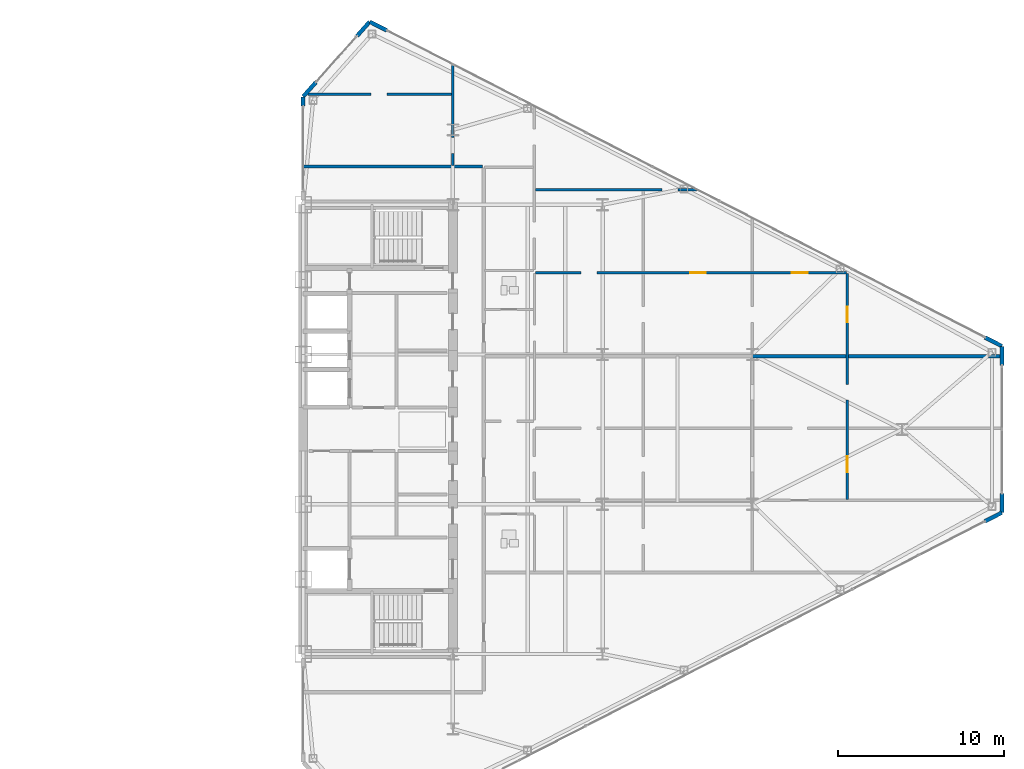
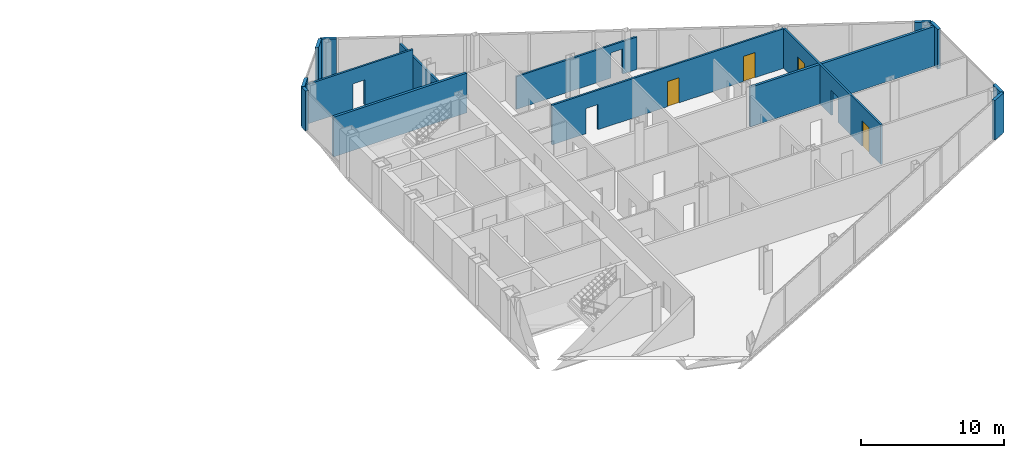
# One storey, part 19 of 22: 15 walls, 4 doors, 9 openings.
"""IFC4 building model written with IfcOpenShell, lengths in metres."""

from ifc_helpers import new_model, si_unit, direction, frame, frame_2d, origin, place, context, subcontext, project, spatial, rectangle, extrude, source, transform, mapped, material, layer, layer_set, type_object, type_shapes, element, fill, save


model = new_model("IFC4")

# Units and contexts
model_context = context("Model", 3, precision=1e-05, world=origin(), true_north=direction((0.0, 1.0)))
body_context = subcontext(model_context, "Body", "Model", "MODEL_VIEW")
ifc_project = project(units=[si_unit("LENGTHUNIT", "METRE"), si_unit("AREAUNIT", "SQUARE_METRE"), si_unit("VOLUMEUNIT", "CUBIC_METRE"), si_unit("PLANEANGLEUNIT", "RADIAN"), si_unit("MASSUNIT", "GRAM", prefix="KILO")], contexts=[model_context])

# Site, building, storey
site_placement = place(None, origin())
site = spatial("IfcSite", under=ifc_project, at=site_placement, CompositionType="ELEMENT")
building_placement = place(site_placement, origin())
building = spatial("IfcBuilding", under=site, at=building_placement, Name="Seokmaru Belvedere", CompositionType="ELEMENT")
storey_placement = place(building_placement, frame((0.0, 0.0, 151.199951171875)))
storey = spatial("IfcBuildingStorey", under=building, at=storey_placement, Name="L40", CompositionType="ELEMENT", Elevation=151.199951171875)

# Wall, openings, doors
ifc_material_1 = material(Name="Fire-Rated Gypsum Shaftwall")
ifc_layer_1 = layer(ifc_material_1, 0.14990234375)
ifc_layer_set_1 = layer_set([ifc_layer_1], Name="Fire-Rated Gypsum Shaftwall")
wall_type_1 = type_object("IfcWallType", Name="Apartment Fire-Acoustic Room Partition 150", PredefinedType="PARTITIONING", material=ifc_layer_set_1)
wall_1_placement = place(storey_placement, frame((41.449951171875, 9.409912109375, 0.0), z_axis=(0.0, 0.0, 1.0), x_axis=(1.0, 0.0, 0.0)))
wall_1 = element("IfcWall", 1, at=wall_1_placement, inside=storey, type_object=wall_type_1, Name="L40 Interior Partition 016", PredefinedType="PARTITIONING", context=body_context, shape_type="SweptSolid", body=[
    extrude(rectangle(XDim=18.699951171875, YDim=0.14990234375, at=frame_2d((9.35009765625, 0.0))), origin(), (0.0, 0.0, 1.0), 3.380126953125),
])
opening_1_placement = place(wall_1_placement, frame((2.75, 0.0, 0.0)))
element("IfcOpeningElement", 2, at=opening_1_placement, cuts=wall_1, Name="L40 Cased Opening 033", PredefinedType="OPENING", context=body_context, shape_type="SweptSolid", body=[
    extrude(rectangle(XDim=0.949951171875, YDim=2.14990234375, at=frame_2d((0.47509765625, 1.074951171875))), frame((0.0, 0.0849609375, 0.0), z_axis=(0.0, -1.0, 0.0), x_axis=(1.0, 0.0, 0.0)), (0.0, 0.0, 1.0), 0.169921875),
])
opening_2_placement = place(wall_1_placement, frame((15.425048828125, 0.0, 0.0)))
opening_2 = element("IfcOpeningElement", 3, at=opening_2_placement, cuts=wall_1, Name="Opening D05", PredefinedType="OPENING", context=body_context, shape_type="SweptSolid", body=[
    extrude(rectangle(XDim=0.949951171875, YDim=2.14990234375, at=frame_2d((0.47509765625, 1.074951171875))), frame((0.0, 0.0849609375, 0.0), z_axis=(0.0, -1.0, 0.0), x_axis=(1.0, 0.0, 0.0)), (0.0, 0.0, 1.0), 0.169921875),
])
opening_3_placement = place(wall_1_placement, frame((9.300048828125, 0.0, 0.0)))
opening_3 = element("IfcOpeningElement", 4, at=opening_3_placement, cuts=wall_1, Name="Opening D05", PredefinedType="OPENING", context=body_context, shape_type="SweptSolid", body=[
    extrude(rectangle(XDim=0.949951171875, YDim=2.14990234375, at=frame_2d((0.47509765625, 1.074951171875))), frame((0.0, 0.0849609375, 0.0), z_axis=(0.0, -1.0, 0.0), x_axis=(1.0, 0.0, 0.0)), (0.0, 0.0, 1.0), 0.169921875),
])
ifc_material_2 = material(Name="Engineered White Oak Timber", Category="wood")
door_type = type_object("IfcDoorType", Name="Apartment Interior Fire-Rated Oak Door 950x2150", OperationType="NOTDEFINED", PredefinedType="DOOR", material=ifc_material_2)
shared_shape = source(origin(), body_context, "Body", "SweptSolid", [
    extrude(rectangle(XDim=0.949951171875, YDim=2.14990234375, at=frame_2d((0.47509765625, 1.074951171875))), frame((0.0, 0.02490234375, 0.0), z_axis=(0.0, -1.0, 0.0), x_axis=(1.0, 0.0, 0.0)), (0.0, 0.0, 1.0), 0.050048828125),
])
type_shapes(door_type, [shared_shape])
door_1_placement = place(opening_2_placement, origin())
door_1 = element("IfcDoor", 5, at=door_1_placement, inside=storey, type_object=door_type, Name="L40 Interior Door 037", OperationType="SINGLE_SWING_LEFT", OverallHeight=2.14990234375, OverallWidth=0.949951171875, PredefinedType="DOOR", context=body_context, shape_type="MappedRepresentation", body=[
    mapped(shared_shape, transform((0.0, 0.0, 0.0), scale=1.0)),
])
fill(opening_2, door_1)
door_2_placement = place(opening_3_placement, origin())
door_2 = element("IfcDoor", 6, at=door_2_placement, inside=storey, type_object=door_type, Name="L40 Interior Door 038", OperationType="SINGLE_SWING_LEFT", OverallHeight=2.14990234375, OverallWidth=0.949951171875, PredefinedType="DOOR", context=body_context, shape_type="MappedRepresentation", body=[
    mapped(shared_shape, transform((0.0, 0.0, 0.0), scale=1.0)),
])
fill(opening_3, door_2)

# Wall, opening
wall_2_placement = place(storey_placement, frame((41.449951171875, 14.409912109375, 0.0), z_axis=(0.0, 0.0, 1.0), x_axis=(1.0, 0.0, 0.0)))
wall_2 = element("IfcWall", 7, at=wall_2_placement, inside=storey, type_object=wall_type_1, Name="L40 Interior Partition 018", PredefinedType="PARTITIONING", context=body_context, shape_type="SweptSolid", body=[
    extrude(rectangle(XDim=9.740966796875, YDim=0.14990234375, at=frame_2d((4.87060546875, 0.0))), origin(), (0.0, 0.0, 1.0), 2.780029296875),
])
opening_4_placement = place(wall_2_placement, frame((7.628173828125, 0.0, 0.0)))
element("IfcOpeningElement", 8, at=opening_4_placement, cuts=wall_2, Name="L40 Cased Opening 039", PredefinedType="OPENING", context=body_context, shape_type="SweptSolid", body=[
    extrude(rectangle(XDim=0.949951171875, YDim=2.14990234375, at=frame_2d((0.47509765625, 1.074951171875))), frame((0.0, 0.0849609375, 0.0), z_axis=(0.0, -1.0, 0.0), x_axis=(1.0, 0.0, 0.0)), (0.0, 0.0, 1.0), 0.169921875),
])

wall_3_placement = place(storey_placement, frame((27.800537109375, 20.14990234375, 0.0), z_axis=(0.0, 0.0, 1.0), x_axis=(1.0, 0.0, 0.0)))
wall_3 = element("IfcWall", 9, at=wall_3_placement, inside=storey, type_object=wall_type_1, Name="L40 Interior Partition 022", PredefinedType="PARTITIONING", context=body_context, shape_type="SweptSolid", body=[
    extrude(rectangle(XDim=8.6494140625, YDim=0.14990234375, at=frame_2d((4.32470703125, 0.0))), origin(), (0.0, 0.0, 1.0), 3.380126953125),
])
opening_5_placement = place(wall_3_placement, frame((3.791015625, 0.0, 0.0)))
element("IfcOpeningElement", 10, at=opening_5_placement, cuts=wall_3, Name="L40 Cased Opening 042", PredefinedType="OPENING", context=body_context, shape_type="SweptSolid", body=[
    extrude(rectangle(XDim=0.949951171875, YDim=2.14990234375, at=frame_2d((0.47509765625, 1.074951171875))), frame((0.0, 0.0849609375, 0.0), z_axis=(0.0, -1.0, 0.0), x_axis=(1.0, 0.0, 0.0)), (0.0, 0.0, 1.0), 0.169921875),
])

wall_4_placement = place(storey_placement, frame((36.5, 15.85009765625, 0.0), z_axis=(0.0, 0.0, 1.0), x_axis=(0.0, 1.0, 0.0)))
wall_4 = element("IfcWall", 11, at=wall_4_placement, inside=storey, type_object=wall_type_1, Name="L40 Interior Partition 029", PredefinedType="PARTITIONING", context=body_context, shape_type="SweptSolid", body=[
    extrude(rectangle(XDim=6.118896484375, YDim=0.14990234375, at=frame_2d((3.0595703125, 0.0))), origin(), (0.0, 0.0, 1.0), 2.780029296875),
])
opening_6_placement = place(wall_4_placement, frame((0.73779296875, 0.0, 0.0)))
element("IfcOpeningElement", 12, at=opening_6_placement, cuts=wall_4, Name="L40 Cased Opening 041", PredefinedType="OPENING", context=body_context, shape_type="SweptSolid", body=[
    extrude(rectangle(XDim=0.949951171875, YDim=2.14990234375, at=frame_2d((0.47509765625, 1.074951171875))), frame((0.0, 0.0849609375, 0.0), z_axis=(0.0, -1.0, 0.0), x_axis=(1.0, 0.0, 0.0)), (0.0, 0.0, 1.0), 0.169921875),
])

# Wall, openings, doors
wall_5_placement = place(storey_placement, frame((60.199951171875, -4.217041015625, 0.0), z_axis=(0.0, 0.0, 1.0), x_axis=(0.0, 1.0, 0.0)))
wall_5 = element("IfcWall", 13, at=wall_5_placement, inside=storey, type_object=wall_type_1, Name="L40 Interior Partition 037", PredefinedType="PARTITIONING", context=body_context, shape_type="SweptSolid", body=[
    extrude(rectangle(XDim=13.573974609375, YDim=0.14990234375, at=frame_2d((6.787109375, 0.0))), origin(), (0.0, 0.0, 1.0), 3.380126953125),
])
opening_7_placement = place(wall_5_placement, frame((1.64208984375, 0.0, 0.0)))
opening_7 = element("IfcOpeningElement", 14, at=opening_7_placement, cuts=wall_5, Name="Opening D05", PredefinedType="OPENING", context=body_context, shape_type="SweptSolid", body=[
    extrude(rectangle(XDim=0.949951171875, YDim=2.14990234375, at=frame_2d((0.47509765625, 1.074951171875))), frame((0.0, 0.0849609375, 0.0), z_axis=(0.0, -1.0, 0.0), x_axis=(1.0, 0.0, 0.0)), (0.0, 0.0, 1.0), 0.169921875),
])
opening_8_placement = place(wall_5_placement, frame((5.975341796875, 0.0, 0.0)))
element("IfcOpeningElement", 15, at=opening_8_placement, cuts=wall_5, Name="L40 Cased Opening 026", PredefinedType="OPENING", context=body_context, shape_type="SweptSolid", body=[
    extrude(rectangle(XDim=0.949951171875, YDim=2.14990234375, at=frame_2d((0.47509765625, 1.074951171875))), frame((0.0, 0.0849609375, 0.0), z_axis=(0.0, -1.0, 0.0), x_axis=(1.0, 0.0, 0.0)), (0.0, 0.0, 1.0), 0.169921875),
])
opening_9_placement = place(wall_5_placement, frame((10.645263671875, 0.0, 0.0)))
opening_9 = element("IfcOpeningElement", 16, at=opening_9_placement, cuts=wall_5, Name="Opening D05", PredefinedType="OPENING", context=body_context, shape_type="SweptSolid", body=[
    extrude(rectangle(XDim=0.949951171875, YDim=2.14990234375, at=frame_2d((0.47509765625, 1.074951171875))), frame((0.0, 0.0849609375, 0.0), z_axis=(0.0, -1.0, 0.0), x_axis=(1.0, 0.0, 0.0)), (0.0, 0.0, 1.0), 0.169921875),
])
door_3_placement = place(opening_7_placement, origin())
door_3 = element("IfcDoor", 17, at=door_3_placement, inside=storey, type_object=door_type, Name="L40 Interior Door 024", OperationType="SINGLE_SWING_LEFT", OverallHeight=2.14990234375, OverallWidth=0.949951171875, PredefinedType="DOOR", context=body_context, shape_type="MappedRepresentation", body=[
    mapped(shared_shape, transform((0.0, 0.0, 0.0), scale=1.0)),
])
fill(opening_7, door_3)
door_4_placement = place(opening_9_placement, origin())
door_4 = element("IfcDoor", 18, at=door_4_placement, inside=storey, type_object=door_type, Name="L40 Interior Door 036", OperationType="SINGLE_SWING_LEFT", OverallHeight=2.14990234375, OverallWidth=0.949951171875, PredefinedType="DOOR", context=body_context, shape_type="MappedRepresentation", body=[
    mapped(shared_shape, transform((0.0, 0.0, 0.0), scale=1.0)),
])
fill(opening_9, door_4)

# Walls
ifc_layer_2 = layer(ifc_material_1, 0.199951171875)
ifc_layer_set_2 = layer_set([ifc_layer_2], Name="Fire-Rated Gypsum Shaftwall")
wall_type_2 = type_object("IfcWallType", Name="Inter-Tenancy Fire Compartment Partition 200", PredefinedType="PARTITIONING", material=ifc_layer_set_2)
wall_6_placement = place(storey_placement, frame((54.52001953125, 4.39990234375, 0.0), z_axis=(0.0, 0.0, 1.0), x_axis=(1.0, 0.0, 0.0)))
element("IfcWall", 19, at=wall_6_placement, inside=storey, type_object=wall_type_2, Name="L40 Interior Partition 011 Part 2", PredefinedType="PARTITIONING", context=body_context, shape_type="SweptSolid", body=[
    extrude(rectangle(XDim=14.85498046875, YDim=0.199951171875, at=frame_2d((7.427490234375, 0.0))), origin(), (0.0, 0.0, 1.0), 3.380126953125),
])
wall_7_placement = place(storey_placement, frame((27.5, 15.800048828125, 0.0), z_axis=(0.0, 0.0, 1.0), x_axis=(1.0, 0.0, 0.0)))
element("IfcWall", 20, at=wall_7_placement, inside=storey, type_object=wall_type_2, Name="L40 Interior Partition 021", PredefinedType="PARTITIONING", context=body_context, shape_type="SweptSolid", body=[
    extrude(rectangle(XDim=10.764892578125, YDim=0.199951171875, at=frame_2d((5.38232421875, 0.0))), origin(), (0.0, 0.0, 1.0), 3.380126953125),
])
ifc_material_3 = material(Name="Anodised Bronze Aluminium", Category="aluminium")
ifc_layer_3 = layer(ifc_material_3, 0.239990234375)
ifc_layer_set_3 = layer_set([ifc_layer_3], Name="Anodised Bronze Aluminium")
wall_type_3 = type_object("IfcWallType", Name="Tower Corner Spandrel Closure Wall 240", PredefinedType="SOLIDWALL", material=ifc_layer_set_3)
wall_8_placement = place(storey_placement, frame((68.476806640625, -5.52490234375, 0.0), z_axis=(0.0, 0.0, 1.0), x_axis=(0.889797395748, 0.456355776255, 0.0)))
element("IfcWall", 21, at=wall_8_placement, inside=storey, type_object=wall_type_3, Name="L40 E Corner Closure Pier 1B", PredefinedType="SOLIDWALL", context=body_context, shape_type="SweptSolid", body=[
    extrude(rectangle(XDim=1.14013671875, YDim=0.239990234375, at=frame_2d((0.570068359375, 0.0))), origin(), (0.0, 0.0, 1.0), 3.380126953125),
])
for number, where, z_axis, x_axis, name in (
    (22, (69.5, -4.989990234375, 0.0), (0.0, 0.0, 1.0), (0.0, 1.0, 0.0), "L40 E Corner Closure Pier 2A"),
    (23, (69.5, 3.85009765625, 0.0), (0.0, 0.0, 1.0), (0.0, 1.0, 0.0), "L40 E Corner Closure Pier 2B"),
):
    element("IfcWall", number, at=place(storey_placement, frame(where, z_axis=z_axis, x_axis=x_axis)), inside=storey, type_object=wall_type_3, Name=name, PredefinedType="SOLIDWALL", context=body_context, shape_type="SweptSolid", body=[
        extrude(rectangle(XDim=1.139892578125, YDim=0.239990234375, at=frame_2d((0.56982421875, 0.0))), origin(), (0.0, 0.0, 1.0), 3.380126953125),
    ])
for number, where, z_axis, x_axis, name in (
    (24, (69.4912109375, 5.004638671875, 0.0), (0.0, 0.0, 1.0), (-0.889797395748, 0.456355776255, 0.0), "L40 E Corner Closure Pier 3A"),
    (25, (32.523193359375, 23.97509765625, 0.0), (0.0, 0.0, 1.0), (-0.889797395748, 0.456355776255, 0.0), "L40 E Corner Closure Pier 3B"),
):
    element("IfcWall", number, at=place(storey_placement, frame(where, z_axis=z_axis, x_axis=x_axis)), inside=storey, type_object=wall_type_3, Name=name, PredefinedType="SOLIDWALL", context=body_context, shape_type="SweptSolid", body=[
        extrude(rectangle(XDim=1.14013671875, YDim=0.239990234375, at=frame_2d((0.570068359375, 0.0))), origin(), (0.0, 0.0, 1.0), 3.380126953125),
    ])
for number, where, z_axis, x_axis, name in (
    (26, (31.493408203125, 24.492431640625, 0.0), (0.0, 0.0, 1.0), (-0.664337252513, -0.747432950119, 0.0), "L40 E Corner Closure Pier 4A"),
    (27, (28.263916015625, 20.859619140625, 0.0), (0.0, 0.0, 1.0), (-0.664337252513, -0.747432950119, 0.0), "L40 E Corner Closure Pier 4B"),
):
    element("IfcWall", number, at=place(storey_placement, frame(where, z_axis=z_axis, x_axis=x_axis)), inside=storey, type_object=wall_type_3, Name=name, PredefinedType="SOLIDWALL", context=body_context, shape_type="SweptSolid", body=[
        extrude(rectangle(XDim=1.139892578125, YDim=0.239990234375, at=frame_2d((0.56982421875, 0.0))), origin(), (0.0, 0.0, 1.0), 3.380126953125),
    ])
wall_9_placement = place(storey_placement, frame((27.5, 19.429931640625, 0.0), z_axis=(0.0, 0.0, 1.0), x_axis=(0.0, 1.0, 0.0)))
element("IfcWall", 28, at=wall_9_placement, inside=storey, type_object=wall_type_3, Name="L40 E Spine Closure Pier 2B", PredefinedType="SOLIDWALL", context=body_context, shape_type="SweptSolid", body=[
    extrude(rectangle(XDim=0.550048828125, YDim=0.239990234375, at=frame_2d((0.27490234375, 0.0))), origin(), (0.0, 0.0, 1.0), 3.380126953125),
])

save(model, "model.ifc")
